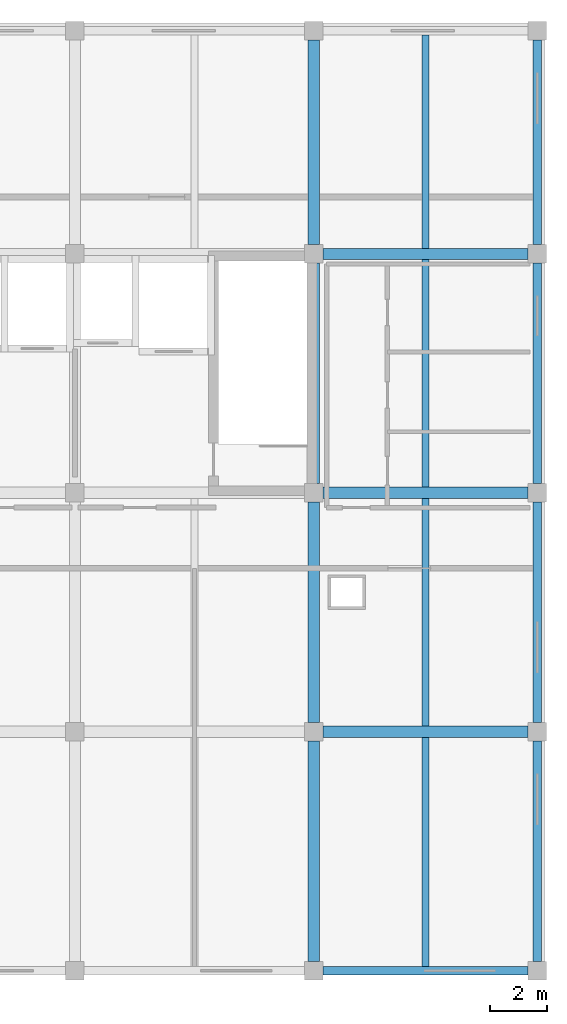
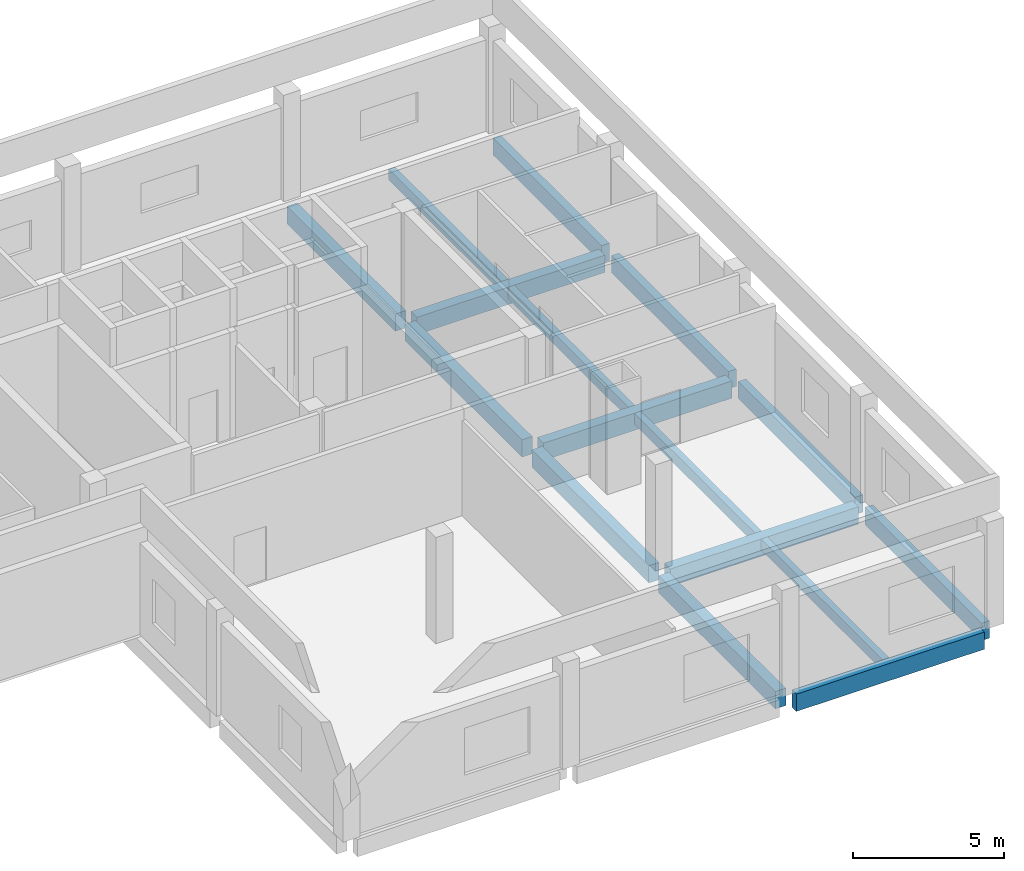
# One storey, part 3 of 8: 16 beams.
"""IFC4 building model written with IfcOpenShell, lengths in metres."""

from ifc_helpers import new_model, si_unit, direction, frame, origin, origin_2d, place, context, subcontext, project, spatial, rectangle, extrude, material, material_profile, profile_set, type_object, element, save


model = new_model("IFC4")

# Units and contexts
model_context = context("Model", 3, precision=1e-05, world=origin(), true_north=direction((0.0, 1.0)))
body_context = subcontext(model_context, "Body", "Model", "MODEL_VIEW")
ifc_project = project(units=[si_unit("LENGTHUNIT", "METRE"), si_unit("AREAUNIT", "SQUARE_METRE"), si_unit("VOLUMEUNIT", "CUBIC_METRE"), si_unit("PLANEANGLEUNIT", "RADIAN"), si_unit("MASSUNIT", "GRAM", prefix="KILO")], contexts=[model_context])

# Site, building, storey
site_placement = place(None, origin())
site = spatial("IfcSite", under=ifc_project, at=site_placement, CompositionType="ELEMENT")
building_placement = place(site_placement, origin())
building = spatial("IfcBuilding", under=site, at=building_placement, Name="Brinegate Botanical Conservatory", CompositionType="ELEMENT")
storey_placement = place(building_placement, frame((0.0, 0.0, 65.699951171875)))
storey = spatial("IfcBuildingStorey", under=building, at=storey_placement, Name="L16", CompositionType="ELEMENT", Elevation=65.699951171875)

# Beams
ifc_material = material(Name="Concrete C40/50", Category="concrete")
ifc_material_profile_1 = material_profile(ifc_material, rectangle(XDim=0.39990234375, YDim=0.699951171875, at=origin_2d()), Name="RC BM 400x700")
ifc_profile_set_1 = profile_set([ifc_material_profile_1], Name="Concrete C40/50")
beam_type_1 = type_object("IfcBeamType", Name="Beam_BM-T2", PredefinedType="BEAM", material=ifc_profile_set_1)
for number, where, z_axis, x_axis, name in (
    (1, (155.925048828125, 86.800048828125, -0.570068359375), (1.0, 0.0, 0.0), (0.0, 1.0, 0.0), "Beam BM-T2 L16 L:20-21"),
    (2, (155.925048828125, 95.199951171875, -0.570068359375), (1.0, 0.0, 0.0), (0.0, 1.0, 0.0), "Beam BM-T2 L16 M:20-21"),
    (3, (155.925048828125, 103.60009765625, -0.570068359375), (1.0, 0.0, 0.0), (0.0, 1.0, 0.0), "Beam BM-T2 L16 N:20-21"),
):
    element("IfcBeam", number, at=place(storey_placement, frame(where, z_axis=z_axis, x_axis=x_axis)), inside=storey, type_object=beam_type_1, Name=name, PredefinedType="BEAM", context=body_context, shape_type="SweptSolid", body=[
        extrude(rectangle(XDim=0.39990234375, YDim=0.699951171875, at=origin_2d()), origin(), (0.0, 0.0, 1.0), 7.199951171875),
    ])
for number, where, z_axis, x_axis, name in (
    (4, (155.60009765625, 78.72509765625, -0.570068359375), (0.0, 1.0, 0.0), (-1.0, 0.0, 0.0), "Beam BM-T2 L16 20:K-L"),
    (5, (155.60009765625, 87.125, -0.570068359375), (0.0, 1.0, 0.0), (-1.0, 0.0, 0.0), "Beam BM-T2 L16 20:L-M"),
    (6, (155.60009765625, 95.52490234375, -0.570068359375), (0.0, 1.0, 0.0), (-1.0, 0.0, 0.0), "Beam BM-T2 L16 20:M-N"),
):
    element("IfcBeam", number, at=place(storey_placement, frame(where, z_axis=z_axis, x_axis=x_axis)), inside=storey, type_object=beam_type_1, Name=name, PredefinedType="BEAM", context=body_context, shape_type="SweptSolid", body=[
        extrude(rectangle(XDim=0.39990234375, YDim=0.699951171875, at=origin_2d()), origin(), (0.0, 0.0, 1.0), 7.75),
    ])
beam_1_placement = place(storey_placement, frame((155.60009765625, 103.925048828125, -0.570068359375), z_axis=(0.0, 1.0, 0.0), x_axis=(-1.0, 0.0, 0.0)))
element("IfcBeam", 7, at=beam_1_placement, inside=storey, type_object=beam_type_1, Name="Beam BM-T2 L16 20:N-P", PredefinedType="BEAM", context=body_context, shape_type="SweptSolid", body=[
    extrude(rectangle(XDim=0.39990234375, YDim=0.699951171875, at=origin_2d()), origin(), (0.0, 0.0, 1.0), 7.199951171875),
])
ifc_material_profile_2 = material_profile(ifc_material, rectangle(XDim=0.25, YDim=0.449951171875, at=origin_2d()), Name="RC JST 250x450")
ifc_profile_set_2 = profile_set([ifc_material_profile_2], Name="Concrete C40/50")
beam_type_2 = type_object("IfcBeamType", Name="Beam_JS-C3", PredefinedType="JOIST", material=ifc_profile_set_2)
beam_2_placement = place(storey_placement, frame((159.52490234375, 78.550048828125, -0.445068359375), z_axis=(0.0, 1.0, 0.0), x_axis=(-1.0, 0.0, 0.0)))
element("IfcBeam", 8, at=beam_2_placement, inside=storey, type_object=beam_type_2, Name="Floor joist JS-C3 L16 bay 20.10", PredefinedType="JOIST", context=body_context, shape_type="SweptSolid", body=[
    extrude(rectangle(XDim=0.25, YDim=0.449951171875, at=origin_2d()), origin(), (0.0, 0.0, 1.0), 8.050048828125),
])
for number, where, z_axis, x_axis, name in (
    (9, (159.52490234375, 87.0, -0.445068359375), (0.0, 1.0, 0.0), (-1.0, 0.0, 0.0), "Floor joist JS-C3 L16 bay 20.11"),
    (10, (159.52490234375, 95.39990234375, -0.445068359375), (0.0, 1.0, 0.0), (-1.0, 0.0, 0.0), "Floor joist JS-C3 L16 bay 20.12"),
):
    element("IfcBeam", number, at=place(storey_placement, frame(where, z_axis=z_axis, x_axis=x_axis)), inside=storey, type_object=beam_type_2, Name=name, PredefinedType="JOIST", context=body_context, shape_type="SweptSolid", body=[
        extrude(rectangle(XDim=0.25, YDim=0.449951171875, at=origin_2d()), origin(), (0.0, 0.0, 1.0), 8.0),
    ])
beam_3_placement = place(storey_placement, frame((159.52490234375, 103.800048828125, -0.445068359375), z_axis=(0.0, 1.0, 0.0), x_axis=(-1.0, 0.0, 0.0)))
element("IfcBeam", 11, at=beam_3_placement, inside=storey, type_object=beam_type_2, Name="Floor joist JS-C3 L16 bay 20.13", PredefinedType="JOIST", context=body_context, shape_type="SweptSolid", body=[
    extrude(rectangle(XDim=0.25, YDim=0.449951171875, at=origin_2d()), origin(), (0.0, 0.0, 1.0), 7.5),
])
ifc_material_profile_3 = material_profile(ifc_material, rectangle(XDim=0.300048828125, YDim=0.699951171875, at=origin_2d()), Name="RC SPN 300x700")
ifc_profile_set_3 = profile_set([ifc_material_profile_3], Name="Concrete C40/50")
beam_type_3 = type_object("IfcBeamType", Name="Beam_SP-02", PredefinedType="SPANDREL", material=ifc_profile_set_3)
beam_4_placement = place(storey_placement, frame((155.925048828125, 78.39990234375, -0.570068359375), z_axis=(1.0, 0.0, 0.0), x_axis=(0.0, 1.0, 0.0)))
element("IfcBeam", 12, at=beam_4_placement, inside=storey, type_object=beam_type_3, Name="Beam SP-02 L16 K:20-21", PredefinedType="SPANDREL", context=body_context, shape_type="SweptSolid", body=[
    extrude(rectangle(XDim=0.300048828125, YDim=0.699951171875, at=origin_2d()), origin(), (0.0, 0.0, 1.0), 7.199951171875),
])
for number, where, z_axis, x_axis, name in (
    (13, (163.449951171875, 78.72509765625, -0.570068359375), (0.0, 1.0, 0.0), (-1.0, 0.0, 0.0), "Beam SP-02 L16 21:K-L"),
    (14, (163.449951171875, 87.125, -0.570068359375), (0.0, 1.0, 0.0), (-1.0, 0.0, 0.0), "Beam SP-02 L16 21:L-M"),
    (15, (163.449951171875, 95.52490234375, -0.570068359375), (0.0, 1.0, 0.0), (-1.0, 0.0, 0.0), "Beam SP-02 L16 21:M-N"),
):
    element("IfcBeam", number, at=place(storey_placement, frame(where, z_axis=z_axis, x_axis=x_axis)), inside=storey, type_object=beam_type_3, Name=name, PredefinedType="SPANDREL", context=body_context, shape_type="SweptSolid", body=[
        extrude(rectangle(XDim=0.300048828125, YDim=0.699951171875, at=origin_2d()), origin(), (0.0, 0.0, 1.0), 7.75),
    ])
beam_5_placement = place(storey_placement, frame((163.449951171875, 103.925048828125, -0.570068359375), z_axis=(0.0, 1.0, 0.0), x_axis=(-1.0, 0.0, 0.0)))
element("IfcBeam", 16, at=beam_5_placement, inside=storey, type_object=beam_type_3, Name="Beam SP-02 L16 21:N-P", PredefinedType="SPANDREL", context=body_context, shape_type="SweptSolid", body=[
    extrude(rectangle(XDim=0.300048828125, YDim=0.699951171875, at=origin_2d()), origin(), (0.0, 0.0, 1.0), 7.199951171875),
])

save(model, "model.ifc")
